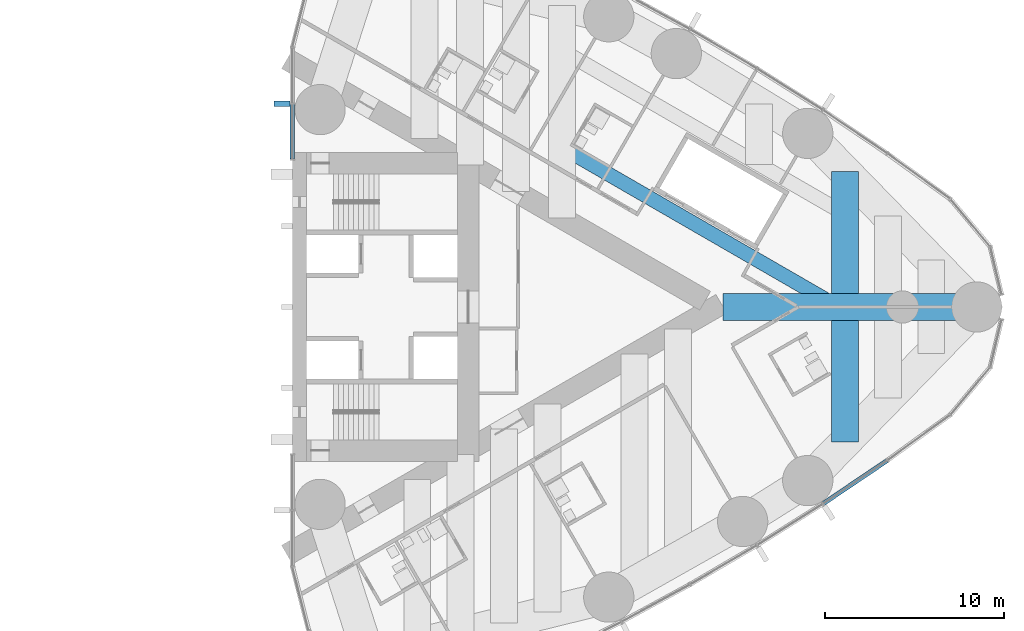
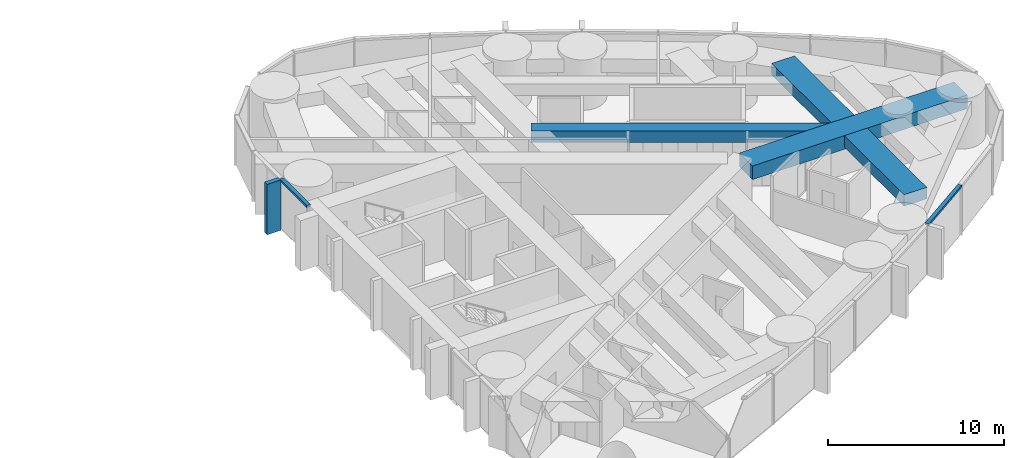
# One storey, part 7 of 18: 4 beams, 3 members, 2 elements without a shape of their own.
"""IFC4 building model written with IfcOpenShell, lengths in metres."""

from ifc_helpers import new_model, si_unit, direction, frame, origin, origin_2d, place, context, subcontext, project, spatial, rectangle, hollow_rectangle, extrude, material, material_profile, profile_set, type_object, element, aggregate, save


model = new_model("IFC4")

# Units and contexts
model_context = context("Model", 3, precision=1e-05, world=origin(), true_north=direction((0.0, 1.0)))
body_context = subcontext(model_context, "Body", "Model", "MODEL_VIEW")
ifc_project = project(units=[si_unit("LENGTHUNIT", "METRE"), si_unit("AREAUNIT", "SQUARE_METRE"), si_unit("VOLUMEUNIT", "CUBIC_METRE"), si_unit("PLANEANGLEUNIT", "RADIAN"), si_unit("MASSUNIT", "GRAM", prefix="KILO")], contexts=[model_context])

# Site, building, storey
site_placement = place(None, origin())
site = spatial("IfcSite", under=ifc_project, at=site_placement, CompositionType="ELEMENT")
building_placement = place(site_placement, origin())
building = spatial("IfcBuilding", under=site, at=building_placement, Name="Lancet Gate Hotel", CompositionType="ELEMENT")
storey_placement = place(building_placement, frame((0.0, 0.0, 187.800048828125)))
storey = spatial("IfcBuildingStorey", under=building, at=storey_placement, Name="L50", CompositionType="ELEMENT", Elevation=187.800048828125)

# Curtain wall, member
ifc_material_1 = material(Name="Aluminium curtain wall", Category="aluminium")
curtain_wall_type = type_object("IfcCurtainWallType", Name="Tower unitised curtain wall", PredefinedType="USERDEFINED", material=ifc_material_1)
curtain_wall_1_placement = place(storey_placement, origin())
curtain_wall_1 = element("IfcCurtainWall", 1, at=curtain_wall_1_placement, inside=storey, type_object=curtain_wall_type, Name="T2 L50 curtain wall 2", ObjectType="UNITISED CURTAIN WALL", PredefinedType="USERDEFINED")
ifc_material_2 = material(Name="Aluminium transom", Category="aluminium")
ifc_material_profile_1 = material_profile(ifc_material_2, rectangle(XDim=0.25, YDim=0.14990234375, at=origin_2d()), Name="TRANSOM 250x150")
ifc_profile_set_1 = profile_set([ifc_material_profile_1], Name="Aluminium transom")
member_type_1 = type_object("IfcMemberType", Name="Aluminium transom 250x150", PredefinedType="USERDEFINED", material=ifc_profile_set_1)
member_1_placement = place(storey_placement, frame((57.093994140625, -10.952880859375, 3.425048828125), z_axis=(0.829046850689, 0.559179147826, 0.0), x_axis=(-0.559179147826, 0.829046850689, 0.0)))
member_1 = element("IfcMember", 2, at=member_1_placement, type_object=member_type_1, Name="T2 L50 curtain wall 2 transom 8", ObjectType="TRANSOM", PredefinedType="USERDEFINED", context=body_context, shape_type="SweptSolid", body=[
    extrude(rectangle(XDim=0.25, YDim=0.14990234375, at=origin_2d()), origin(), (0.0, 0.0, 1.0), 4.26904296875),
])
aggregate(curtain_wall_1, [member_1])

# Curtain wall, members
curtain_wall_2_placement = place(storey_placement, origin())
curtain_wall_2 = element("IfcCurtainWall", 3, at=curtain_wall_2_placement, inside=storey, type_object=curtain_wall_type, Name="T2 L50 curtain wall 4", ObjectType="UNITISED CURTAIN WALL", PredefinedType="USERDEFINED")
member_2_placement = place(storey_placement, frame((27.5, 11.30029296875, 3.425048828125), z_axis=(0.0, -1.0, 0.0), x_axis=(1.0, 0.0, 0.0)))
member_2 = element("IfcMember", 4, at=member_2_placement, type_object=member_type_1, Name="T2 L50 curtain wall 4 transom 4", ObjectType="TRANSOM", PredefinedType="USERDEFINED", context=body_context, shape_type="SweptSolid", body=[
    extrude(rectangle(XDim=0.25, YDim=0.14990234375, at=origin_2d()), origin(), (0.0, 0.0, 1.0), 3.06787109375),
])
ifc_material_3 = material(Name="Precast concrete C50/60", Category="concrete")
ifc_material_profile_2 = material_profile(ifc_material_3, rectangle(XDim=0.300048828125, YDim=0.89990234375, at=origin_2d()), Name="FIN 300x900")
ifc_profile_set_2 = profile_set([ifc_material_profile_2], Name="Precast concrete C50/60")
member_type_2 = type_object("IfcMemberType", Name="Exposed concrete fin 300x900", PredefinedType="USERDEFINED", material=ifc_profile_set_2)
member_3_placement = place(storey_placement, frame((26.925048828125, 11.332763671875, 0.0), z_axis=(0.0, 0.0, 1.0), x_axis=(0.0, -1.0, 0.0)))
member_3 = element("IfcMember", 5, at=member_3_placement, type_object=member_type_2, Name="T2 L50 curtain wall 4 fin 4", ObjectType="FIN", PredefinedType="USERDEFINED", context=body_context, shape_type="SweptSolid", body=[
    extrude(rectangle(XDim=0.300048828125, YDim=0.89990234375, at=origin_2d()), origin(), (0.0, 0.0, 1.0), 3.5),
])
aggregate(curtain_wall_2, [member_3, member_2])

# Beams
ifc_material_4 = material(Name="Concrete C50/60", Category="concrete")
ifc_material_profile_3 = material_profile(ifc_material_4, rectangle(XDim=1.5, YDim=0.800048828125, at=origin_2d()), Name="RC 1500x800")
ifc_profile_set_3 = profile_set([ifc_material_profile_3], Name="Concrete C50/60")
beam_type_1 = type_object("IfcBeamType", Name="Floor beam RC 1500x800", PredefinedType="BEAM", material=ifc_profile_set_3)
for number, where, z_axis, x_axis, name in (
    (6, (58.30224609375, -7.534912109375, 2.849853515625), (0.0, 1.0, 0.0), (-1.0, 0.0, 0.0), "T2 floor beam F12S L50"),
    (7, (58.30224609375, 0.75, 2.849853515625), (0.0, 1.0, 0.0), (-1.0, 0.0, 0.0), "T2 floor beam F13N L50"),
):
    element("IfcBeam", number, at=place(storey_placement, frame(where, z_axis=z_axis, x_axis=x_axis)), inside=storey, type_object=beam_type_1, Name=name, PredefinedType="BEAM", context=body_context, shape_type="SweptSolid", body=[
        extrude(rectangle(XDim=1.5, YDim=0.800048828125, at=origin_2d()), origin(), (0.0, 0.0, 1.0), 6.784912109375),
    ])
ifc_material_5 = material(Name="Concrete C50/60", Category="concrete")
ifc_material_profile_4 = material_profile(ifc_material_5, rectangle(XDim=1.5, YDim=0.949951171875, at=origin_2d()), Name="RC 1500x950")
ifc_profile_set_4 = profile_set([ifc_material_profile_4], Name="Concrete C50/60")
beam_type_2 = type_object("IfcBeamType", Name="Radial floor beam RC 1500x950", PredefinedType="BEAM", material=ifc_profile_set_4)
beam_1_placement = place(storey_placement, frame((65.6396484375, 0.0, 2.77490234375), z_axis=(-1.0, 0.0, 0.0), x_axis=(0.0, -1.0, 0.0)))
element("IfcBeam", 8, at=beam_1_placement, inside=storey, type_object=beam_type_2, Name="T2 radial beam CA L50", PredefinedType="BEAM", context=body_context, shape_type="SweptSolid", body=[
    extrude(rectangle(XDim=1.5, YDim=0.949951171875, at=origin_2d()), origin(), (0.0, 0.0, 1.0), 14.137451171875),
])
ifc_material_6 = material(Name="Steel S460QL", Category="steel")
ifc_material_profile_5 = material_profile(ifc_material_6, hollow_rectangle(XDim=0.800048828125, YDim=0.800048828125, WallThickness=0.080078125, at=origin_2d()), Name="BOX 800x800x80")
ifc_profile_set_5 = profile_set([ifc_material_profile_5], Name="Steel S460QL")
beam_type_3 = type_object("IfcBeamType", Name="Trimmer beam BOX 800x800x80", PredefinedType="BEAM", material=ifc_profile_set_5)
beam_2_placement = place(storey_placement, frame((42.51904296875, 8.90185546875, 2.849853515625), z_axis=(0.865994419471, -0.500053662566, 0.0), x_axis=(0.500053662566, 0.865994419471, 0.0)))
element("IfcBeam", 9, at=beam_2_placement, inside=storey, type_object=beam_type_3, Name="T2 trimmer beam TR02N L50", PredefinedType="BEAM", context=body_context, shape_type="SweptSolid", body=[
    extrude(hollow_rectangle(XDim=0.800048828125, YDim=0.800048828125, WallThickness=0.080078125, at=origin_2d()), origin(), (0.0, 0.0, 1.0), 17.8017578125),
])

save(model, "model.ifc")
